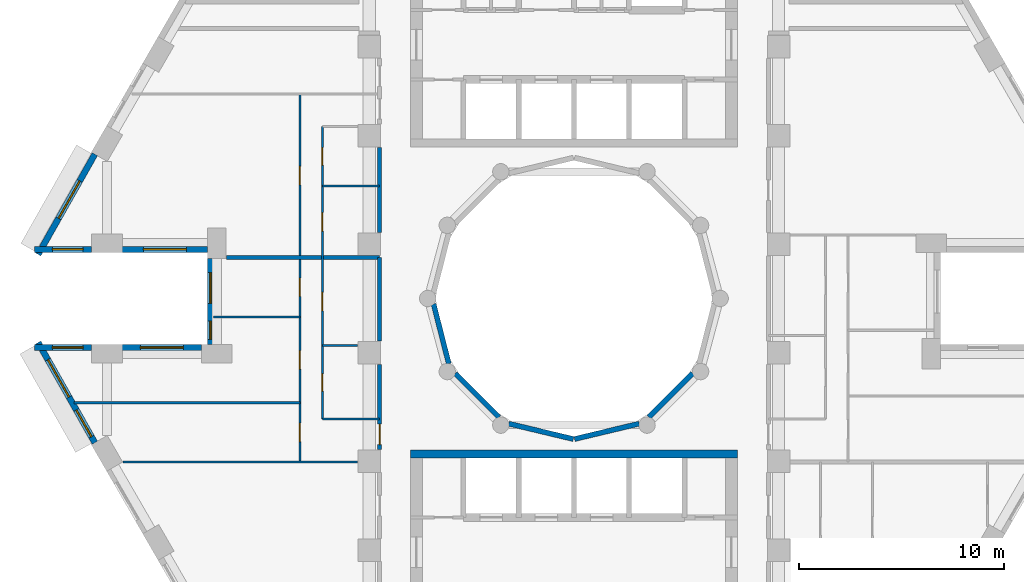
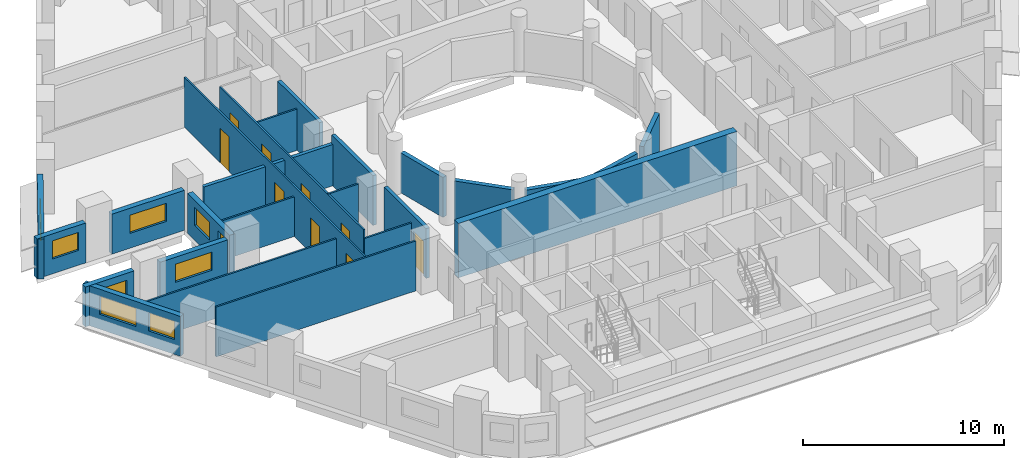
# One storey, part 4 of 12: 25 walls, 9 doors, 9 windows, 18 openings.
"""IFC4 building model written with IfcOpenShell, lengths in metres."""

from ifc_helpers import new_model, si_unit, direction, frame, frame_2d, origin, place, context, subcontext, project, spatial, rectangle, extrude, material, layer, layer_set, type_object, element, fill, save


model = new_model("IFC4")

# Units and contexts
model_context = context("Model", 3, precision=1e-05, world=origin(), true_north=direction((0.0, 1.0)))
body_context = subcontext(model_context, "Body", "Model", "MODEL_VIEW")
ifc_project = project(units=[si_unit("LENGTHUNIT", "METRE"), si_unit("AREAUNIT", "SQUARE_METRE"), si_unit("VOLUMEUNIT", "CUBIC_METRE"), si_unit("PLANEANGLEUNIT", "RADIAN"), si_unit("MASSUNIT", "GRAM", prefix="KILO")], contexts=[model_context])

# Site, building, storey
site_placement = place(None, origin())
site = spatial("IfcSite", under=ifc_project, at=site_placement, CompositionType="ELEMENT")
building_placement = place(site_placement, origin())
building = spatial("IfcBuilding", under=site, at=building_placement, Name="Nakaniwa Court", CompositionType="ELEMENT")
storey_placement = place(building_placement, frame((0.0, 0.0, 51.300048828125)))
storey = spatial("IfcBuildingStorey", under=building, at=storey_placement, Name="L13", CompositionType="ELEMENT", Elevation=51.300048828125)

# Wall, opening, door
ifc_material_1 = material(Name="Acoustic double stud partition")
ifc_layer_1 = layer(ifc_material_1, 0.199951171875)
ifc_layer_set_1 = layer_set([ifc_layer_1], Name="Acoustic double stud partition")
wall_type_1 = type_object("IfcWallType", Name="Acoustic double stud partition 200", PredefinedType="PARTITIONING", material=ifc_layer_set_1)
wall_1_placement = place(storey_placement, frame((70.5, 72.616943359375, 0.0), z_axis=(0.0, 0.0, 1.0), x_axis=(0.0, 1.0, 0.0)))
wall_1 = element("IfcWall", 1, at=wall_1_placement, inside=storey, type_object=wall_type_1, Name="Partition PW-104", PredefinedType="PARTITIONING", context=body_context, shape_type="SweptSolid", body=[
    extrude(rectangle(XDim=4.166015625, YDim=0.199951171875, at=frame_2d((2.0830078125, 0.0))), origin(), (0.0, 0.0, 1.0), 3.02490234375),
])
opening_1_placement = place(wall_1_placement, frame((0.242919921875, 0.0, 0.0)))
opening_1 = element("IfcOpeningElement", 2, at=opening_1_placement, cuts=wall_1, Name="Opening D-01-03", PredefinedType="OPENING", context=body_context, shape_type="SweptSolid", body=[
    extrude(rectangle(XDim=1.0, YDim=2.10009765625, at=frame_2d((0.5, 1.050048828125))), frame((0.0, 0.10986328125, 0.0), z_axis=(0.0, -1.0, 0.0), x_axis=(1.0, 0.0, 0.0)), (0.0, 0.0, 1.0), 0.219970703125),
])
ifc_material_2 = material(Name="Solid core timber door set, black veneer", Category="wood")
door_type_1 = type_object("IfcDoorType", Name="Flat entrance door 1000", OperationType="NOTDEFINED", PredefinedType="DOOR", material=ifc_material_2)
door_1_placement = place(opening_1_placement, origin())
door_1 = element("IfcDoor", 3, at=door_1_placement, inside=storey, type_object=door_type_1, Name="Door D-01-03 L13-042", OperationType="SINGLE_SWING_LEFT", OverallHeight=2.10009765625, OverallWidth=1.0, PredefinedType="DOOR", context=body_context, shape_type="SweptSolid", body=[
    extrude(rectangle(XDim=1.0, YDim=2.10009765625, at=frame_2d((0.5, 1.050048828125))), frame((0.0, 0.02490234375, 0.0), z_axis=(0.0, -1.0, 0.0), x_axis=(1.0, 0.0, 0.0)), (0.0, 0.0, 1.0), 0.050048828125),
])
fill(opening_1, door_1)

# Walls
wall_2_placement = place(storey_placement, frame((70.5, 77.9169921875, 0.0), z_axis=(0.0, 0.0, 1.0), x_axis=(0.0, 1.0, 0.0)))
element("IfcWall", 4, at=wall_2_placement, inside=storey, type_object=wall_type_1, Name="Partition PW-105", PredefinedType="PARTITIONING", context=body_context, shape_type="SweptSolid", body=[
    extrude(rectangle(XDim=4.0859375, YDim=0.199951171875, at=frame_2d((2.04296875, 0.0))), origin(), (0.0, 0.0, 1.0), 3.02490234375),
])
wall_3_placement = place(storey_placement, frame((70.5, 83.217041015625, 0.0), z_axis=(0.0, 0.0, 1.0), x_axis=(0.0, 1.0, 0.0)))
element("IfcWall", 5, at=wall_3_placement, inside=storey, type_object=wall_type_1, Name="Partition PW-106", PredefinedType="PARTITIONING", context=body_context, shape_type="SweptSolid", body=[
    extrude(rectangle(XDim=4.166015625, YDim=0.199951171875, at=frame_2d((2.0830078125, 0.0))), origin(), (0.0, 0.0, 1.0), 3.02490234375),
])
wall_4_placement = place(storey_placement, frame((63.01171875, 82.0, 0.0), z_axis=(0.0, 0.0, 1.0), x_axis=(1.0, 0.0, 0.0)))
element("IfcWall", 6, at=wall_4_placement, inside=storey, type_object=wall_type_1, Name="Partition PW-126", PredefinedType="PARTITIONING", context=body_context, shape_type="SweptSolid", body=[
    extrude(rectangle(XDim=7.48828125, YDim=0.199951171875, at=frame_2d((3.744140625, 0.0))), origin(), (0.0, 0.0, 1.0), 2.5048828125),
])

# Wall, opening, window
ifc_material_3 = material(Name="Charcoal ceramic cladding")
ifc_layer_2 = layer(ifc_material_3, 0.02, Name="Ceramic cladding")
ifc_material_4 = material(Name="Ventilated air cavity")
ifc_layer_3 = layer(ifc_material_4, 0.04, ventilated=True, Name="Ventilated cavity")
ifc_material_5 = material(Name="Mineral wool insulation")
ifc_layer_4 = layer(ifc_material_5, 0.1, Name="Insulation")
ifc_material_6 = material(Name="Cement bonded sheathing board")
ifc_layer_5 = layer(ifc_material_6, 0.012, Name="Sheathing")
ifc_material_7 = material(Name="Cold-formed galvanised stud frame with mineral wool infill")
ifc_layer_6 = layer(ifc_material_7, 0.1, Name="Stud frame")
ifc_material_8 = material(Name="Fire-rated gypsum plasterboard lining")
ifc_layer_7 = layer(ifc_material_8, 0.028, Name="Lining")
ifc_layer_set_2 = layer_set([ifc_layer_2, ifc_layer_3, ifc_layer_4, ifc_layer_5, ifc_layer_6, ifc_layer_7], Name="Charcoal ceramic faced external wall system")
wall_type_2 = type_object("IfcWallType", Name="Black ceramic faced external wall 300", PredefinedType="SOLIDWALL", material=ifc_layer_set_2)
wall_5_placement = place(storey_placement, frame((56.584228515625, 87.050537109375, 0.0), z_axis=(0.0, 0.0, 1.0), x_axis=(-0.492363204642, -0.870389840655, 0.0)))
wall_5 = element("IfcWall", 7, at=wall_5_placement, inside=storey, type_object=wall_type_2, Name="L13 external wall 14", PredefinedType="SOLIDWALL", context=body_context, shape_type="SweptSolid", body=[
    extrude(rectangle(XDim=5.62646484375, YDim=0.300048828125, at=frame_2d((2.813232421875, 0.0))), origin(), (0.0, 0.0, 1.0), 2.425048828125),
])
opening_2_placement = place(wall_5_placement, frame((1.5, 0.0, 0.89990234375)))
opening_2 = element("IfcOpeningElement", 8, at=opening_2_placement, cuts=wall_5, Name="Opening W7.13", PredefinedType="OPENING", context=body_context, shape_type="SweptSolid", body=[
    extrude(rectangle(XDim=2.10009765625, YDim=1.10009765625, at=frame_2d((1.050048828125, 0.550048828125))), frame((0.0, 0.159912109375, 0.0), z_axis=(0.0, -1.0, 0.0), x_axis=(1.0, 0.0, 0.0)), (0.0, 0.0, 1.0), 0.320068359375),
])
ifc_material_9 = material(Name="Black anodised aluminium frame with dark low-E laminated double glazing", Category="aluminium")
window_type_1 = type_object("IfcWindowType", Name="Dark glass window 2100x1100 sill 900", PartitioningType="SINGLE_PANEL", PredefinedType="WINDOW", material=ifc_material_9)
window_1_placement = place(opening_2_placement, origin())
window_1 = element("IfcWindow", 9, at=window_1_placement, inside=storey, type_object=window_type_1, Name="L13 living window 14-0", OverallHeight=1.10009765625, OverallWidth=2.10009765625, PartitioningType="SINGLE_PANEL", PredefinedType="WINDOW", context=body_context, shape_type="SweptSolid", body=[
    extrude(rectangle(XDim=2.10009765625, YDim=1.10009765625, at=frame_2d((1.050048828125, 0.550048828125))), frame((0.0, 0.030029296875, 0.0), z_axis=(0.0, -1.0, 0.0), x_axis=(1.0, 0.0, 0.0)), (0.0, 0.0, 1.0), 0.06005859375),
])
fill(opening_2, window_1)

wall_6_placement = place(storey_placement, frame((53.643310546875, 82.39990234375, 0.0), z_axis=(0.0, 0.0, 1.0), x_axis=(1.0, 0.0, 0.0)))
wall_6 = element("IfcWall", 10, at=wall_6_placement, inside=storey, type_object=wall_type_2, Name="L13 external wall 15", PredefinedType="SOLIDWALL", context=body_context, shape_type="SweptSolid", body=[
    extrude(rectangle(XDim=2.787841796875, YDim=0.300048828125, at=frame_2d((1.39404296875, 0.0))), origin(), (0.0, 0.0, 1.0), 2.425048828125),
])
opening_3_placement = place(wall_6_placement, frame((0.868896484375, 0.0, 0.89990234375)))
opening_3 = element("IfcOpeningElement", 11, at=opening_3_placement, cuts=wall_6, Name="Opening W5.14", PredefinedType="OPENING", context=body_context, shape_type="SweptSolid", body=[
    extrude(rectangle(XDim=1.5, YDim=1.10009765625, at=frame_2d((0.75, 0.550048828125))), frame((0.0, 0.159912109375, 0.0), z_axis=(0.0, -1.0, 0.0), x_axis=(1.0, 0.0, 0.0)), (0.0, 0.0, 1.0), 0.320068359375),
])
window_type_2 = type_object("IfcWindowType", Name="Dark glass window 1500x1100 sill 900", PartitioningType="SINGLE_PANEL", PredefinedType="WINDOW", material=ifc_material_9)
window_2_placement = place(opening_3_placement, origin())
window_2 = element("IfcWindow", 12, at=window_2_placement, inside=storey, type_object=window_type_2, Name="L13 living window 15-0", OverallHeight=1.10009765625, OverallWidth=1.5, PartitioningType="SINGLE_PANEL", PredefinedType="WINDOW", context=body_context, shape_type="SweptSolid", body=[
    extrude(rectangle(XDim=1.5, YDim=1.10009765625, at=frame_2d((0.75, 0.550048828125))), frame((0.0, 0.030029296875, 0.0), z_axis=(0.0, -1.0, 0.0), x_axis=(1.0, 0.0, 0.0)), (0.0, 0.0, 1.0), 0.06005859375),
])
fill(opening_3, window_2)

wall_7_placement = place(storey_placement, frame((57.923095703125, 82.39990234375, 0.0), z_axis=(0.0, 0.0, 1.0), x_axis=(1.0, 0.0, 0.0)))
wall_7 = element("IfcWall", 13, at=wall_7_placement, inside=storey, type_object=wall_type_2, Name="L13 external wall 16", PredefinedType="SOLIDWALL", context=body_context, shape_type="SweptSolid", body=[
    extrude(rectangle(XDim=4.172607421875, YDim=0.300048828125, at=frame_2d((2.08642578125, 0.0))), origin(), (0.0, 0.0, 1.0), 2.425048828125),
])
opening_4_placement = place(wall_7_placement, frame((1.036376953125, 0.0, 0.89990234375)))
opening_4 = element("IfcOpeningElement", 14, at=opening_4_placement, cuts=wall_7, Name="Opening W7.15", PredefinedType="OPENING", context=body_context, shape_type="SweptSolid", body=[
    extrude(rectangle(XDim=2.10009765625, YDim=1.10009765625, at=frame_2d((1.050048828125, 0.550048828125))), frame((0.0, 0.159912109375, 0.0), z_axis=(0.0, -1.0, 0.0), x_axis=(1.0, 0.0, 0.0)), (0.0, 0.0, 1.0), 0.320068359375),
])
window_3_placement = place(opening_4_placement, origin())
window_3 = element("IfcWindow", 15, at=window_3_placement, inside=storey, type_object=window_type_1, Name="L13 living window 16-0", OverallHeight=1.10009765625, OverallWidth=2.10009765625, PartitioningType="SINGLE_PANEL", PredefinedType="WINDOW", context=body_context, shape_type="SweptSolid", body=[
    extrude(rectangle(XDim=2.10009765625, YDim=1.10009765625, at=frame_2d((1.050048828125, 0.550048828125))), frame((0.0, 0.030029296875, 0.0), z_axis=(0.0, -1.0, 0.0), x_axis=(1.0, 0.0, 0.0)), (0.0, 0.0, 1.0), 0.06005859375),
])
fill(opening_4, window_3)

# Wall, openings, windows
wall_8_placement = place(storey_placement, frame((62.24169921875, 81.9541015625, 0.0), z_axis=(0.0, 0.0, 1.0), x_axis=(0.0, -1.0, 0.0)))
wall_8 = element("IfcWall", 16, at=wall_8_placement, inside=storey, type_object=wall_type_2, Name="L13 external wall 17", PredefinedType="SOLIDWALL", context=body_context, shape_type="SweptSolid", body=[
    extrude(rectangle(XDim=4.2080078125, YDim=0.300048828125, at=frame_2d((2.10400390625, 0.0))), origin(), (0.0, 0.0, 1.0), 2.425048828125),
])
opening_5_placement = place(wall_8_placement, frame((0.690673828125, 0.0, 0.89990234375)))
opening_5 = element("IfcOpeningElement", 17, at=opening_5_placement, cuts=wall_8, Name="Opening W5.16", PredefinedType="OPENING", context=body_context, shape_type="SweptSolid", body=[
    extrude(rectangle(XDim=1.5, YDim=1.10009765625, at=frame_2d((0.75, 0.550048828125))), frame((0.0, 0.159912109375, 0.0), z_axis=(0.0, -1.0, 0.0), x_axis=(1.0, 0.0, 0.0)), (0.0, 0.0, 1.0), 0.320068359375),
])
opening_6_placement = place(wall_8_placement, frame((3.0576171875, 0.0, 0.89990234375)))
opening_6 = element("IfcOpeningElement", 18, at=opening_6_placement, cuts=wall_8, Name="Opening W9.17", PredefinedType="OPENING", context=body_context, shape_type="SweptSolid", body=[
    extrude(rectangle(XDim=0.89990234375, YDim=1.10009765625, at=frame_2d((0.449951171875, 0.550048828125))), frame((0.0, 0.159912109375, 0.0), z_axis=(0.0, -1.0, 0.0), x_axis=(1.0, 0.0, 0.0)), (0.0, 0.0, 1.0), 0.320068359375),
])
window_4_placement = place(opening_5_placement, origin())
window_4 = element("IfcWindow", 19, at=window_4_placement, inside=storey, type_object=window_type_2, Name="L13 bedroom window 17-0", OverallHeight=1.10009765625, OverallWidth=1.5, PartitioningType="SINGLE_PANEL", PredefinedType="WINDOW", context=body_context, shape_type="SweptSolid", body=[
    extrude(rectangle(XDim=1.5, YDim=1.10009765625, at=frame_2d((0.75, 0.550048828125))), frame((0.0, 0.030029296875, 0.0), z_axis=(0.0, -1.0, 0.0), x_axis=(1.0, 0.0, 0.0)), (0.0, 0.0, 1.0), 0.06005859375),
])
fill(opening_5, window_4)
window_type_3 = type_object("IfcWindowType", Name="Dark glass window 900x1100 sill 900", PartitioningType="SINGLE_PANEL", PredefinedType="WINDOW", material=ifc_material_9)
window_5_placement = place(opening_6_placement, origin())
window_5 = element("IfcWindow", 20, at=window_5_placement, inside=storey, type_object=window_type_3, Name="L13 living window 17-1", OverallHeight=1.10009765625, OverallWidth=0.89990234375, PartitioningType="SINGLE_PANEL", PredefinedType="WINDOW", context=body_context, shape_type="SweptSolid", body=[
    extrude(rectangle(XDim=0.89990234375, YDim=1.10009765625, at=frame_2d((0.449951171875, 0.550048828125))), frame((0.0, 0.030029296875, 0.0), z_axis=(0.0, -1.0, 0.0), x_axis=(1.0, 0.0, 0.0)), (0.0, 0.0, 1.0), 0.06005859375),
])
fill(opening_6, window_5)

# Wall, opening, window
wall_9_placement = place(storey_placement, frame((61.795654296875, 77.60009765625, 0.0), z_axis=(0.0, 0.0, 1.0), x_axis=(-1.0, 0.0, 0.0)))
wall_9 = element("IfcWall", 21, at=wall_9_placement, inside=storey, type_object=wall_type_2, Name="L13 external wall 18", PredefinedType="SOLIDWALL", context=body_context, shape_type="SweptSolid", body=[
    extrude(rectangle(XDim=3.87255859375, YDim=0.300048828125, at=frame_2d((1.936279296875, 0.0))), origin(), (0.0, 0.0, 1.0), 2.425048828125),
])
opening_7_placement = place(wall_9_placement, frame((0.88623046875, 0.0, 0.89990234375)))
opening_7 = element("IfcOpeningElement", 22, at=opening_7_placement, cuts=wall_9, Name="Opening W7.18", PredefinedType="OPENING", context=body_context, shape_type="SweptSolid", body=[
    extrude(rectangle(XDim=2.10009765625, YDim=1.10009765625, at=frame_2d((1.050048828125, 0.550048828125))), frame((0.0, 0.159912109375, 0.0), z_axis=(0.0, -1.0, 0.0), x_axis=(1.0, 0.0, 0.0)), (0.0, 0.0, 1.0), 0.320068359375),
])
window_6_placement = place(opening_7_placement, origin())
window_6 = element("IfcWindow", 23, at=window_6_placement, inside=storey, type_object=window_type_1, Name="L13 living window 18-0", OverallHeight=1.10009765625, OverallWidth=2.10009765625, PartitioningType="SINGLE_PANEL", PredefinedType="WINDOW", context=body_context, shape_type="SweptSolid", body=[
    extrude(rectangle(XDim=2.10009765625, YDim=1.10009765625, at=frame_2d((1.050048828125, 0.550048828125))), frame((0.0, 0.030029296875, 0.0), z_axis=(0.0, -1.0, 0.0), x_axis=(1.0, 0.0, 0.0)), (0.0, 0.0, 1.0), 0.06005859375),
])
fill(opening_7, window_6)

wall_10_placement = place(storey_placement, frame((56.43115234375, 77.60009765625, 0.0), z_axis=(0.0, 0.0, 1.0), x_axis=(-1.0, 0.0, 0.0)))
wall_10 = element("IfcWall", 24, at=wall_10_placement, inside=storey, type_object=wall_type_2, Name="L13 external wall 19", PredefinedType="SOLIDWALL", context=body_context, shape_type="SweptSolid", body=[
    extrude(rectangle(XDim=2.787841796875, YDim=0.300048828125, at=frame_2d((1.39404296875, 0.0))), origin(), (0.0, 0.0, 1.0), 2.425048828125),
])
opening_8_placement = place(wall_10_placement, frame((0.4189453125, 0.0, 0.89990234375)))
opening_8 = element("IfcOpeningElement", 25, at=opening_8_placement, cuts=wall_10, Name="Opening W5.19", PredefinedType="OPENING", context=body_context, shape_type="SweptSolid", body=[
    extrude(rectangle(XDim=1.5, YDim=1.10009765625, at=frame_2d((0.75, 0.550048828125))), frame((0.0, 0.159912109375, 0.0), z_axis=(0.0, -1.0, 0.0), x_axis=(1.0, 0.0, 0.0)), (0.0, 0.0, 1.0), 0.320068359375),
])
window_7_placement = place(opening_8_placement, origin())
window_7 = element("IfcWindow", 26, at=window_7_placement, inside=storey, type_object=window_type_2, Name="L13 living window 19-0", OverallHeight=1.10009765625, OverallWidth=1.5, PartitioningType="SINGLE_PANEL", PredefinedType="WINDOW", context=body_context, shape_type="SweptSolid", body=[
    extrude(rectangle(XDim=1.5, YDim=1.10009765625, at=frame_2d((0.75, 0.550048828125))), frame((0.0, 0.030029296875, 0.0), z_axis=(0.0, -1.0, 0.0), x_axis=(1.0, 0.0, 0.0)), (0.0, 0.0, 1.0), 0.06005859375),
])
fill(opening_8, window_7)

# Wall, openings, windows
wall_11_placement = place(storey_placement, frame((53.81396484375, 77.8466796875, 0.0), z_axis=(0.0, 0.0, 1.0), x_axis=(0.492363204642, -0.870389840655, 0.0)))
wall_11 = element("IfcWall", 27, at=wall_11_placement, inside=storey, type_object=wall_type_2, Name="L13 external wall 20", PredefinedType="SOLIDWALL", context=body_context, shape_type="SweptSolid", body=[
    extrude(rectangle(XDim=5.62646484375, YDim=0.300048828125, at=frame_2d((2.813232421875, 0.0))), origin(), (0.0, 0.0, 1.0), 2.425048828125),
])
opening_9_placement = place(wall_11_placement, frame((0.96484375, 0.0, 0.89990234375)))
opening_9 = element("IfcOpeningElement", 28, at=opening_9_placement, cuts=wall_11, Name="Opening W7.20", PredefinedType="OPENING", context=body_context, shape_type="SweptSolid", body=[
    extrude(rectangle(XDim=2.10009765625, YDim=1.10009765625, at=frame_2d((1.050048828125, 0.550048828125))), frame((0.0, 0.159912109375, 0.0), z_axis=(0.0, -1.0, 0.0), x_axis=(1.0, 0.0, 0.0)), (0.0, 0.0, 1.0), 0.320068359375),
])
opening_10_placement = place(wall_11_placement, frame((3.789306640625, 0.0, 0.89990234375)))
opening_10 = element("IfcOpeningElement", 29, at=opening_10_placement, cuts=wall_11, Name="Opening W5.21", PredefinedType="OPENING", context=body_context, shape_type="SweptSolid", body=[
    extrude(rectangle(XDim=1.5, YDim=1.10009765625, at=frame_2d((0.75, 0.550048828125))), frame((0.0, 0.159912109375, 0.0), z_axis=(0.0, -1.0, 0.0), x_axis=(1.0, 0.0, 0.0)), (0.0, 0.0, 1.0), 0.320068359375),
])
window_8_placement = place(opening_10_placement, origin())
window_8 = element("IfcWindow", 30, at=window_8_placement, inside=storey, type_object=window_type_2, Name="L13 bedroom window 20-1", OverallHeight=1.10009765625, OverallWidth=1.5, PartitioningType="SINGLE_PANEL", PredefinedType="WINDOW", context=body_context, shape_type="SweptSolid", body=[
    extrude(rectangle(XDim=1.5, YDim=1.10009765625, at=frame_2d((0.75, 0.550048828125))), frame((0.0, 0.030029296875, 0.0), z_axis=(0.0, -1.0, 0.0), x_axis=(1.0, 0.0, 0.0)), (0.0, 0.0, 1.0), 0.06005859375),
])
fill(opening_10, window_8)
window_9_placement = place(opening_9_placement, origin())
window_9 = element("IfcWindow", 31, at=window_9_placement, inside=storey, type_object=window_type_1, Name="L13 living window 20-0", OverallHeight=1.10009765625, OverallWidth=2.10009765625, PartitioningType="SINGLE_PANEL", PredefinedType="WINDOW", context=body_context, shape_type="SweptSolid", body=[
    extrude(rectangle(XDim=2.10009765625, YDim=1.10009765625, at=frame_2d((1.050048828125, 0.550048828125))), frame((0.0, 0.030029296875, 0.0), z_axis=(0.0, -1.0, 0.0), x_axis=(1.0, 0.0, 0.0)), (0.0, 0.0, 1.0), 0.06005859375),
])
fill(opening_9, window_9)

# Walls
ifc_layer_8 = layer(ifc_material_3, 0.02, Name="Ceramic cladding")
ifc_layer_9 = layer(ifc_material_4, 0.04, ventilated=True, Name="Ventilated cavity")
ifc_layer_10 = layer(ifc_material_5, 0.075, Name="Insulation")
ifc_layer_11 = layer(ifc_material_6, 0.012, Name="Sheathing")
ifc_layer_12 = layer(ifc_material_7, 0.075, Name="Stud frame")
ifc_layer_13 = layer(ifc_material_8, 0.028, Name="Lining")
ifc_layer_set_3 = layer_set([ifc_layer_8, ifc_layer_9, ifc_layer_10, ifc_layer_11, ifc_layer_12, ifc_layer_13], Name="Charcoal ceramic faced external wall system")
wall_type_3 = type_object("IfcWallType", Name="Charcoal ceramic faced well wall 250", PredefinedType="SOLIDWALL", material=ifc_layer_set_3)
wall_12_placement = place(storey_placement, frame((85.8056640625, 76.339111328125, 0.0), z_axis=(0.0, 0.0, 1.0), x_axis=(-0.707106781187, -0.707106781187, 0.0)))
element("IfcWall", 32, at=wall_12_placement, inside=storey, type_object=wall_type_3, Name="L13 external wall 37", PredefinedType="SOLIDWALL", context=body_context, shape_type="SweptSolid", body=[
    extrude(rectangle(XDim=3.033203125, YDim=0.25, at=frame_2d((1.5166015625, 0.0))), origin(), (0.0, 0.0, 1.0), 2.425048828125),
])
for number, where, z_axis, x_axis, name in (
    (33, (83.186279296875, 73.880615234375, 0.0), (0.0, 0.0, 1.0), (-0.972773113459, -0.231759508395, 0.0), "L13 external wall 38"),
    (34, (79.970947265625, 73.12841796875, 0.0), (0.0, 0.0, 1.0), (-0.972773113459, 0.231759508395, 0.0), "L13 external wall 39"),
):
    element("IfcWall", number, at=place(storey_placement, frame(where, z_axis=z_axis, x_axis=x_axis)), inside=storey, type_object=wall_type_3, Name=name, PredefinedType="SOLIDWALL", context=body_context, shape_type="SweptSolid", body=[
        extrude(rectangle(XDim=3.24560546875, YDim=0.25, at=frame_2d((1.622802734375, 0.0))), origin(), (0.0, 0.0, 1.0), 2.425048828125),
    ])
wall_13_placement = place(storey_placement, frame((76.339111328125, 74.1943359375, 0.0), z_axis=(0.0, 0.0, 1.0), x_axis=(-0.707106781187, 0.707106781187, 0.0)))
element("IfcWall", 35, at=wall_13_placement, inside=storey, type_object=wall_type_3, Name="L13 external wall 40", PredefinedType="SOLIDWALL", context=body_context, shape_type="SweptSolid", body=[
    extrude(rectangle(XDim=3.033203125, YDim=0.25, at=frame_2d((1.5166015625, 0.0))), origin(), (0.0, 0.0, 1.0), 2.425048828125),
])
wall_14_placement = place(storey_placement, frame((73.88330078125, 76.813232421875, 0.0), z_axis=(0.0, 0.0, 1.0), x_axis=(-0.247055971283, 0.969001211069, 0.0)))
element("IfcWall", 36, at=wall_14_placement, inside=storey, type_object=wall_type_3, Name="L13 external wall 41", PredefinedType="SOLIDWALL", context=body_context, shape_type="SweptSolid", body=[
    extrude(rectangle(XDim=3.010009765625, YDim=0.25, at=frame_2d((1.5048828125, 0.0))), origin(), (0.0, 0.0, 1.0), 2.425048828125),
])
ifc_material_10 = material(Name="Concrete C100/115", Category="concrete")
ifc_layer_14 = layer(ifc_material_10, 0.39990234375)
ifc_layer_set_4 = layer_set([ifc_layer_14], Name="Concrete C100/115")
wall_type_4 = type_object("IfcWallType", Name="Concrete core well wall 400 C100", PredefinedType="SHEAR", material=ifc_layer_set_4)
wall_15_placement = place(storey_placement, frame((72.00390625, 72.39990234375, -0.275146484375), z_axis=(0.0, 0.0, 1.0), x_axis=(1.0, 0.0, 0.0)))
element("IfcWall", 37, at=wall_15_placement, inside=storey, type_object=wall_type_4, Name="Core wall SW-135", PredefinedType="SHEAR", context=body_context, shape_type="SweptSolid", body=[
    extrude(rectangle(XDim=15.9921875, YDim=0.39990234375, at=frame_2d((7.99609375, 0.0))), origin(), (0.0, 0.0, 1.0), 3.300048828125),
])
ifc_material_11 = material(Name="Single stud plasterboard partition")
ifc_layer_15 = layer(ifc_material_11, 0.10009765625)
ifc_layer_set_5 = layer_set([ifc_layer_15], Name="Single stud plasterboard partition")
wall_type_5 = type_object("IfcWallType", Name="Single stud plasterboard partition 100", PredefinedType="PARTITIONING", material=ifc_layer_set_5)
wall_16_placement = place(storey_placement, frame((67.699951171875, 74.10009765625, 0.0), z_axis=(0.0, 0.0, 1.0), x_axis=(1.0, 0.0, 0.0)))
element("IfcWall", 38, at=wall_16_placement, inside=storey, type_object=wall_type_5, Name="Partition PW-116", PredefinedType="PARTITIONING", context=body_context, shape_type="SweptSolid", body=[
    extrude(rectangle(XDim=2.800048828125, YDim=0.10009765625, at=frame_2d((1.39990234375, 0.0))), origin(), (0.0, 0.0, 1.0), 2.5048828125),
])
wall_17_placement = place(storey_placement, frame((57.96826171875, 72.0, 0.0), z_axis=(0.0, 0.0, 1.0), x_axis=(1.0, 0.0, 0.0)))
element("IfcWall", 39, at=wall_17_placement, inside=storey, type_object=wall_type_5, Name="Partition PW-123", PredefinedType="PARTITIONING", context=body_context, shape_type="SweptSolid", body=[
    extrude(rectangle(XDim=11.461669921875, YDim=0.10009765625, at=frame_2d((5.73095703125, 0.0))), origin(), (0.0, 0.0, 1.0), 3.02490234375),
])
wall_18_placement = place(storey_placement, frame((67.699951171875, 77.69091796875, 0.0), z_axis=(0.0, 0.0, 1.0), x_axis=(1.0, 0.0, 0.0)))
element("IfcWall", 40, at=wall_18_placement, inside=storey, type_object=wall_type_5, Name="Partition PW-124", PredefinedType="PARTITIONING", context=body_context, shape_type="SweptSolid", body=[
    extrude(rectangle(XDim=1.72998046875, YDim=0.10009765625, at=frame_2d((0.864990234375, 0.0))), origin(), (0.0, 0.0, 1.0), 3.02490234375),
])

# Wall, openings, doors
wall_19_placement = place(storey_placement, frame((67.699951171875, 88.39990234375, 0.0), z_axis=(0.0, 0.0, 1.0), x_axis=(0.0, -1.0, 0.0)))
wall_19 = element("IfcWall", 41, at=wall_19_placement, inside=storey, type_object=wall_type_5, Name="Partition PW-125", PredefinedType="PARTITIONING", context=body_context, shape_type="SweptSolid", body=[
    extrude(rectangle(XDim=14.2998046875, YDim=0.10009765625, at=frame_2d((7.14990234375, 0.0))), origin(), (0.0, 0.0, 1.0), 3.02490234375),
])
opening_11_placement = place(wall_19_placement, frame((12.080078125, 0.0, 0.0)))
opening_11 = element("IfcOpeningElement", 42, at=opening_11_placement, cuts=wall_19, Name="Opening D-03-03", PredefinedType="OPENING", context=body_context, shape_type="SweptSolid", body=[
    extrude(rectangle(XDim=0.85009765625, YDim=2.10009765625, at=frame_2d((0.425048828125, 1.050048828125))), frame((0.0, 0.06005859375, 0.0), z_axis=(0.0, -1.0, 0.0), x_axis=(1.0, 0.0, 0.0)), (0.0, 0.0, 1.0), 0.1201171875),
])
opening_12_placement = place(wall_19_placement, frame((8.10498046875, 0.0, 0.0)))
opening_12 = element("IfcOpeningElement", 43, at=opening_12_placement, cuts=wall_19, Name="Opening D-33-07", PredefinedType="OPENING", context=body_context, shape_type="SweptSolid", body=[
    extrude(rectangle(XDim=0.89990234375, YDim=2.10009765625, at=frame_2d((0.449951171875, 1.050048828125))), frame((0.0, 0.06005859375, 0.0), z_axis=(0.0, -1.0, 0.0), x_axis=(1.0, 0.0, 0.0)), (0.0, 0.0, 1.0), 0.1201171875),
])
opening_13_placement = place(wall_19_placement, frame((4.205078125, 0.0, 0.0)))
opening_13 = element("IfcOpeningElement", 44, at=opening_13_placement, cuts=wall_19, Name="Opening D-33-11", PredefinedType="OPENING", context=body_context, shape_type="SweptSolid", body=[
    extrude(rectangle(XDim=0.89990234375, YDim=2.10009765625, at=frame_2d((0.449951171875, 1.050048828125))), frame((0.0, 0.06005859375, 0.0), z_axis=(0.0, -1.0, 0.0), x_axis=(1.0, 0.0, 0.0)), (0.0, 0.0, 1.0), 0.1201171875),
])
opening_14_placement = place(wall_19_placement, frame((1.030029296875, 0.0, 0.0)))
opening_14 = element("IfcOpeningElement", 45, at=opening_14_placement, cuts=wall_19, Name="Opening D-03-04", PredefinedType="OPENING", context=body_context, shape_type="SweptSolid", body=[
    extrude(rectangle(XDim=0.85009765625, YDim=2.10009765625, at=frame_2d((0.425048828125, 1.050048828125))), frame((0.0, 0.06005859375, 0.0), z_axis=(0.0, -1.0, 0.0), x_axis=(1.0, 0.0, 0.0)), (0.0, 0.0, 1.0), 0.1201171875),
])
ifc_material_12 = material(Name="Moisture sealed timber door set", Category="wood")
door_type_2 = type_object("IfcDoorType", Name="Bathroom door 850", OperationType="NOTDEFINED", PredefinedType="DOOR", material=ifc_material_12)
door_2_placement = place(opening_11_placement, origin())
door_2 = element("IfcDoor", 46, at=door_2_placement, inside=storey, type_object=door_type_2, Name="Door D-03-03 L13-043", OperationType="SINGLE_SWING_RIGHT", OverallHeight=2.10009765625, OverallWidth=0.85009765625, PredefinedType="DOOR", context=body_context, shape_type="SweptSolid", body=[
    extrude(rectangle(XDim=0.85009765625, YDim=2.10009765625, at=frame_2d((0.425048828125, 1.050048828125))), frame((0.0, 0.02490234375, 0.0), z_axis=(0.0, -1.0, 0.0), x_axis=(1.0, 0.0, 0.0)), (0.0, 0.0, 1.0), 0.050048828125),
])
fill(opening_11, door_2)
door_3_placement = place(opening_14_placement, origin())
door_3 = element("IfcDoor", 47, at=door_3_placement, inside=storey, type_object=door_type_2, Name="Door D-03-04 L13-050", OperationType="SINGLE_SWING_LEFT", OverallHeight=2.10009765625, OverallWidth=0.85009765625, PredefinedType="DOOR", context=body_context, shape_type="SweptSolid", body=[
    extrude(rectangle(XDim=0.85009765625, YDim=2.10009765625, at=frame_2d((0.425048828125, 1.050048828125))), frame((0.0, 0.02490234375, 0.0), z_axis=(0.0, -1.0, 0.0), x_axis=(1.0, 0.0, 0.0)), (0.0, 0.0, 1.0), 0.050048828125),
])
fill(opening_14, door_3)
door_type_3 = type_object("IfcDoorType", Name="Internal door 900", OperationType="NOTDEFINED", PredefinedType="DOOR", material=ifc_material_2)
door_4_placement = place(opening_12_placement, origin())
door_4 = element("IfcDoor", 48, at=door_4_placement, inside=storey, type_object=door_type_3, Name="Door D-33-07 L13-044", OperationType="SINGLE_SWING_LEFT", OverallHeight=2.10009765625, OverallWidth=0.89990234375, PredefinedType="DOOR", context=body_context, shape_type="SweptSolid", body=[
    extrude(rectangle(XDim=0.89990234375, YDim=2.10009765625, at=frame_2d((0.449951171875, 1.050048828125))), frame((0.0, 0.02490234375, 0.0), z_axis=(0.0, -1.0, 0.0), x_axis=(1.0, 0.0, 0.0)), (0.0, 0.0, 1.0), 0.050048828125),
])
fill(opening_12, door_4)
door_5_placement = place(opening_13_placement, origin())
door_5 = element("IfcDoor", 49, at=door_5_placement, inside=storey, type_object=door_type_3, Name="Door D-33-11 L13-049", OperationType="SINGLE_SWING_RIGHT", OverallHeight=2.10009765625, OverallWidth=0.89990234375, PredefinedType="DOOR", context=body_context, shape_type="SweptSolid", body=[
    extrude(rectangle(XDim=0.89990234375, YDim=2.10009765625, at=frame_2d((0.449951171875, 1.050048828125))), frame((0.0, 0.02490234375, 0.0), z_axis=(0.0, -1.0, 0.0), x_axis=(1.0, 0.0, 0.0)), (0.0, 0.0, 1.0), 0.050048828125),
])
fill(opening_13, door_5)

wall_20_placement = place(storey_placement, frame((66.60009765625, 72.0, 0.0), z_axis=(0.0, 0.0, 1.0), x_axis=(0.0, 1.0, 0.0)))
wall_20 = element("IfcWall", 50, at=wall_20_placement, inside=storey, type_object=wall_type_5, Name="Partition PW-127", PredefinedType="PARTITIONING", context=body_context, shape_type="SweptSolid", body=[
    extrude(rectangle(XDim=18.0, YDim=0.10009765625, at=frame_2d((9.0, 0.0))), origin(), (0.0, 0.0, 1.0), 3.02490234375),
])
opening_15_placement = place(wall_20_placement, frame((1.001953125, 0.0, 0.0)))
opening_15 = element("IfcOpeningElement", 51, at=opening_15_placement, cuts=wall_20, Name="Opening D-33-08", PredefinedType="OPENING", context=body_context, shape_type="SweptSolid", body=[
    extrude(rectangle(XDim=0.89990234375, YDim=2.10009765625, at=frame_2d((0.449951171875, 1.050048828125))), frame((0.0, 0.06005859375, 0.0), z_axis=(0.0, -1.0, 0.0), x_axis=(1.0, 0.0, 0.0)), (0.0, 0.0, 1.0), 0.1201171875),
])
opening_16_placement = place(wall_20_placement, frame((4.550048828125, 0.0, 0.0)))
opening_16 = element("IfcOpeningElement", 52, at=opening_16_placement, cuts=wall_20, Name="Opening D-33-09", PredefinedType="OPENING", context=body_context, shape_type="SweptSolid", body=[
    extrude(rectangle(XDim=0.89990234375, YDim=2.10009765625, at=frame_2d((0.449951171875, 1.050048828125))), frame((0.0, 0.06005859375, 0.0), z_axis=(0.0, -1.0, 0.0), x_axis=(1.0, 0.0, 0.0)), (0.0, 0.0, 1.0), 0.1201171875),
])
opening_17_placement = place(wall_20_placement, frame((8.097900390625, 0.0, 0.0)))
opening_17 = element("IfcOpeningElement", 53, at=opening_17_placement, cuts=wall_20, Name="Opening D-33-10", PredefinedType="OPENING", context=body_context, shape_type="SweptSolid", body=[
    extrude(rectangle(XDim=0.89990234375, YDim=2.10009765625, at=frame_2d((0.449951171875, 1.050048828125))), frame((0.0, 0.06005859375, 0.0), z_axis=(0.0, -1.0, 0.0), x_axis=(1.0, 0.0, 0.0)), (0.0, 0.0, 1.0), 0.1201171875),
])
opening_18_placement = place(wall_20_placement, frame((13.550048828125, 0.0, 0.0)))
opening_18 = element("IfcOpeningElement", 54, at=opening_18_placement, cuts=wall_20, Name="Opening D-33-12", PredefinedType="OPENING", context=body_context, shape_type="SweptSolid", body=[
    extrude(rectangle(XDim=0.89990234375, YDim=2.10009765625, at=frame_2d((0.449951171875, 1.050048828125))), frame((0.0, 0.06005859375, 0.0), z_axis=(0.0, -1.0, 0.0), x_axis=(1.0, 0.0, 0.0)), (0.0, 0.0, 1.0), 0.1201171875),
])
door_6_placement = place(opening_15_placement, origin())
door_6 = element("IfcDoor", 55, at=door_6_placement, inside=storey, type_object=door_type_3, Name="Door D-33-08 L13-045", OperationType="SINGLE_SWING_RIGHT", OverallHeight=2.10009765625, OverallWidth=0.89990234375, PredefinedType="DOOR", context=body_context, shape_type="SweptSolid", body=[
    extrude(rectangle(XDim=0.89990234375, YDim=2.10009765625, at=frame_2d((0.449951171875, 1.050048828125))), frame((0.0, 0.02490234375, 0.0), z_axis=(0.0, -1.0, 0.0), x_axis=(1.0, 0.0, 0.0)), (0.0, 0.0, 1.0), 0.050048828125),
])
fill(opening_15, door_6)
door_7_placement = place(opening_16_placement, origin())
door_7 = element("IfcDoor", 56, at=door_7_placement, inside=storey, type_object=door_type_3, Name="Door D-33-09 L13-046", OperationType="SINGLE_SWING_LEFT", OverallHeight=2.10009765625, OverallWidth=0.89990234375, PredefinedType="DOOR", context=body_context, shape_type="SweptSolid", body=[
    extrude(rectangle(XDim=0.89990234375, YDim=2.10009765625, at=frame_2d((0.449951171875, 1.050048828125))), frame((0.0, 0.02490234375, 0.0), z_axis=(0.0, -1.0, 0.0), x_axis=(1.0, 0.0, 0.0)), (0.0, 0.0, 1.0), 0.050048828125),
])
fill(opening_16, door_7)
door_8_placement = place(opening_17_placement, origin())
door_8 = element("IfcDoor", 57, at=door_8_placement, inside=storey, type_object=door_type_3, Name="Door D-33-10 L13-047", OperationType="SINGLE_SWING_RIGHT", OverallHeight=2.10009765625, OverallWidth=0.89990234375, PredefinedType="DOOR", context=body_context, shape_type="SweptSolid", body=[
    extrude(rectangle(XDim=0.89990234375, YDim=2.10009765625, at=frame_2d((0.449951171875, 1.050048828125))), frame((0.0, 0.02490234375, 0.0), z_axis=(0.0, -1.0, 0.0), x_axis=(1.0, 0.0, 0.0)), (0.0, 0.0, 1.0), 0.050048828125),
])
fill(opening_17, door_8)
door_9_placement = place(opening_18_placement, origin())
door_9 = element("IfcDoor", 58, at=door_9_placement, inside=storey, type_object=door_type_3, Name="Door D-33-12 L13-051", OperationType="SINGLE_SWING_RIGHT", OverallHeight=2.10009765625, OverallWidth=0.89990234375, PredefinedType="DOOR", context=body_context, shape_type="SweptSolid", body=[
    extrude(rectangle(XDim=0.89990234375, YDim=2.10009765625, at=frame_2d((0.449951171875, 1.050048828125))), frame((0.0, 0.02490234375, 0.0), z_axis=(0.0, -1.0, 0.0), x_axis=(1.0, 0.0, 0.0)), (0.0, 0.0, 1.0), 0.050048828125),
])
fill(opening_18, door_9)

# Walls
wall_21_placement = place(storey_placement, frame((55.576171875, 74.903076171875, 0.0), z_axis=(0.0, 0.0, 1.0), x_axis=(1.0, 0.0, 0.0)))
element("IfcWall", 59, at=wall_21_placement, inside=storey, type_object=wall_type_5, Name="Partition PW-128", PredefinedType="PARTITIONING", context=body_context, shape_type="SweptSolid", body=[
    extrude(rectangle(XDim=11.02392578125, YDim=0.10009765625, at=frame_2d((5.511962890625, 0.0))), origin(), (0.0, 0.0, 1.0), 2.405029296875),
])
wall_22_placement = place(storey_placement, frame((62.3916015625, 79.096923828125, 0.0), z_axis=(0.0, 0.0, 1.0), x_axis=(1.0, 0.0, 0.0)))
element("IfcWall", 60, at=wall_22_placement, inside=storey, type_object=wall_type_5, Name="Partition PW-129", PredefinedType="PARTITIONING", context=body_context, shape_type="SweptSolid", body=[
    extrude(rectangle(XDim=4.20849609375, YDim=0.10009765625, at=frame_2d((2.104248046875, 0.0))), origin(), (0.0, 0.0, 1.0), 2.405029296875),
])
wall_23_placement = place(storey_placement, frame((67.699951171875, 85.490966796875, 0.0), z_axis=(0.0, 0.0, 1.0), x_axis=(1.0, 0.0, 0.0)))
element("IfcWall", 61, at=wall_23_placement, inside=storey, type_object=wall_type_5, Name="Partition PW-130", PredefinedType="PARTITIONING", context=body_context, shape_type="SweptSolid", body=[
    extrude(rectangle(XDim=2.800048828125, YDim=0.10009765625, at=frame_2d((1.39990234375, 0.0))), origin(), (0.0, 0.0, 1.0), 2.5048828125),
])

save(model, "model.ifc")
